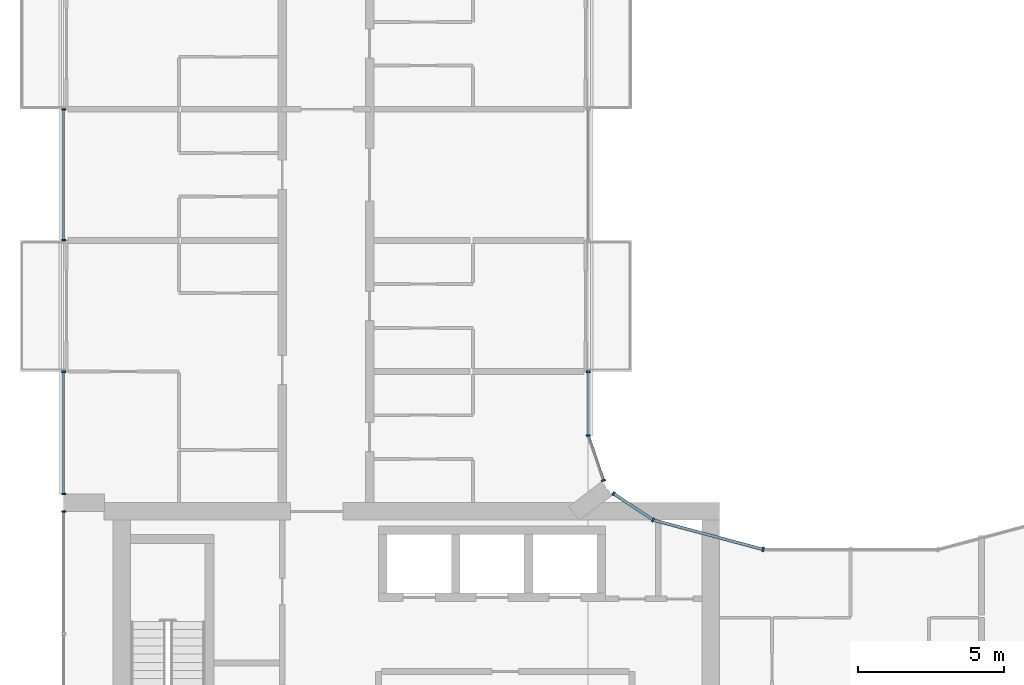
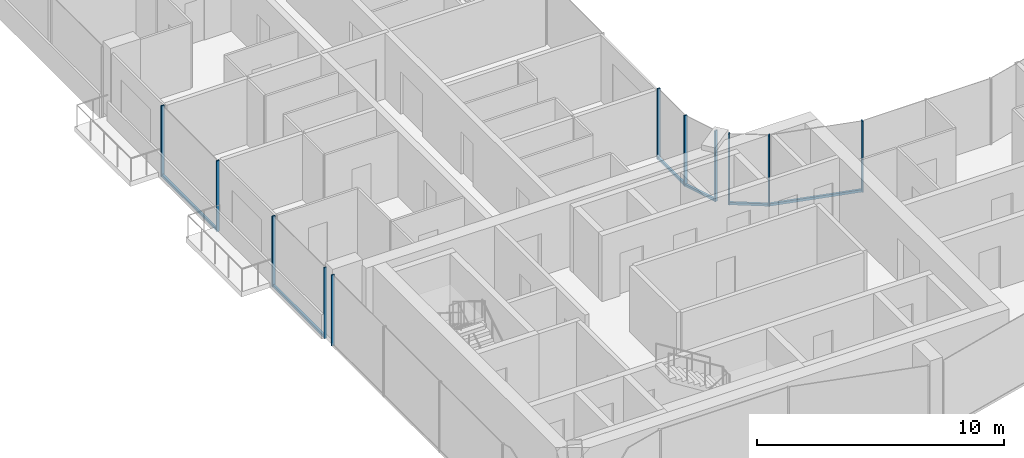
# One storey, part 4 of 17: 17 members, 7 elements without a shape of their own.
"""IFC4 building model written with IfcOpenShell, lengths in metres."""

from ifc_helpers import new_model, si_unit, direction, frame, origin, origin_2d, place, context, subcontext, project, spatial, rectangle, extrude, material, layer, layer_set, material_profile, profile_set, type_object, element, aggregate, save


model = new_model("IFC4")

# Units and contexts
model_context = context("Model", 3, precision=1e-05, world=origin(), true_north=direction((0.0, 1.0)))
body_context = subcontext(model_context, "Body", "Model", "MODEL_VIEW")
ifc_project = project(units=[si_unit("LENGTHUNIT", "METRE"), si_unit("AREAUNIT", "SQUARE_METRE"), si_unit("VOLUMEUNIT", "CUBIC_METRE"), si_unit("PLANEANGLEUNIT", "RADIAN"), si_unit("MASSUNIT", "GRAM", prefix="KILO")], contexts=[model_context])

# Site, building, storey
site_placement = place(None, origin())
site = spatial("IfcSite", under=ifc_project, at=site_placement, CompositionType="ELEMENT")
building_placement = place(site_placement, origin())
building = spatial("IfcBuilding", under=site, at=building_placement, Name="Plateau Cross Towers", CompositionType="ELEMENT")
storey_placement = place(building_placement, frame((0.0, 0.0, 146.39990234375)))
storey = spatial("IfcBuildingStorey", under=building, at=storey_placement, Name="L37", CompositionType="ELEMENT", Elevation=146.39990234375)

# Curtain wall, members
ifc_material_1 = material(Name="Dark low-iron glass", Category="glass")
ifc_layer_1 = layer(ifc_material_1, 0.239990234375)
ifc_layer_set_1 = layer_set([ifc_layer_1], Name="Dark low-iron glass")
curtain_wall_type_1 = type_object("IfcCurtainWallType", Name="Curtain wall flush unitised CW-B", PredefinedType="NOTDEFINED", material=ifc_layer_set_1)
curtain_wall_1_placement = place(storey_placement, origin())
curtain_wall_1 = element("IfcCurtainWall", 1, at=curtain_wall_1_placement, inside=storey, type_object=curtain_wall_type_1, Name="ENV/A/L37/A202_174", PredefinedType="NOTDEFINED")
ifc_material_2 = material(Name="Black anodised aluminium", Category="aluminium")
ifc_material_profile_1 = material_profile(ifc_material_2, rectangle(XDim=0.06005859375, YDim=0.139892578125, at=origin_2d()), Name="MULLION 60x140")
ifc_profile_set_1 = profile_set([ifc_material_profile_1], Name="Black anodised aluminium")
member_type_1 = type_object("IfcMemberType", Name="Mullion 60x140 flush unitised", PredefinedType="MULLION", material=ifc_profile_set_1)
member_1_placement = place(storey_placement, frame((20.223876953125, 17.404296875, -0.25), z_axis=(0.0, 0.0, 1.0), x_axis=(-0.831521253329, 0.555492938984, 0.0)))
member_1 = element("IfcMember", 2, at=member_1_placement, type_object=member_type_1, Name="CW-B mullion 1", PredefinedType="MULLION", context=body_context, shape_type="SweptSolid", body=[
    extrude(rectangle(XDim=0.06005859375, YDim=0.139892578125, at=origin_2d()), origin(), (0.0, 0.0, 1.0), 3.5),
])
member_2_placement = place(storey_placement, frame((18.86962890625, 18.30908203125, -0.25), z_axis=(0.0, 0.0, 1.0), x_axis=(-0.831521253329, 0.555492938984, 0.0)))
member_2 = element("IfcMember", 3, at=member_2_placement, type_object=member_type_1, Name="CW-B mullion 2", PredefinedType="MULLION", context=body_context, shape_type="SweptSolid", body=[
    extrude(rectangle(XDim=0.06005859375, YDim=0.139892578125, at=origin_2d()), origin(), (0.0, 0.0, 1.0), 3.5),
])

# Curtain wall, member
curtain_wall_2_placement = place(storey_placement, origin())
curtain_wall_2 = element("IfcCurtainWall", 4, at=curtain_wall_2_placement, inside=storey, type_object=curtain_wall_type_1, Name="ENV/A/L37/A185_188", PredefinedType="NOTDEFINED")
member_3_placement = place(storey_placement, frame((18.523681640625, 18.760009765625, -0.25), z_axis=(0.0, 0.0, 1.0), x_axis=(-0.321469161574, 0.94692004845, 0.0)))
member_3 = element("IfcMember", 5, at=member_3_placement, type_object=member_type_1, Name="CW-B mullion 1", PredefinedType="MULLION", context=body_context, shape_type="SweptSolid", body=[
    extrude(rectangle(XDim=0.06005859375, YDim=0.139892578125, at=origin_2d()), origin(), (0.0, 0.0, 1.0), 3.5),
])

# Curtain wall, members
curtain_wall_3_placement = place(storey_placement, origin())
curtain_wall_3 = element("IfcCurtainWall", 6, at=curtain_wall_3_placement, inside=storey, type_object=curtain_wall_type_1, Name="ENV/A/L37/A180_203", PredefinedType="NOTDEFINED")
member_4_placement = place(storey_placement, frame((18.0, 20.30224609375, -0.25), z_axis=(0.0, 0.0, 1.0), x_axis=(0.0, 1.0, 0.0)))
member_4 = element("IfcMember", 7, at=member_4_placement, type_object=member_type_1, Name="CW-B mullion 1", PredefinedType="MULLION", context=body_context, shape_type="SweptSolid", body=[
    extrude(rectangle(XDim=0.06005859375, YDim=0.139892578125, at=origin_2d()), origin(), (0.0, 0.0, 1.0), 3.5),
])
member_5_placement = place(storey_placement, frame((18.0, 22.489990234375, -0.25), z_axis=(0.0, 0.0, 1.0), x_axis=(0.0, 1.0, 0.0)))
member_5 = element("IfcMember", 8, at=member_5_placement, type_object=member_type_1, Name="CW-B mullion 2", PredefinedType="MULLION", context=body_context, shape_type="SweptSolid", body=[
    extrude(rectangle(XDim=0.06005859375, YDim=0.139892578125, at=origin_2d()), origin(), (0.0, 0.0, 1.0), 3.5),
])

curtain_wall_4_placement = place(storey_placement, origin())
curtain_wall_4 = element("IfcCurtainWall", 9, at=curtain_wall_4_placement, inside=storey, type_object=curtain_wall_type_1, Name="ENV/A/L37/A0_315", PredefinedType="NOTDEFINED")
member_6_placement = place(storey_placement, frame((0.0, 31.489990234375, -0.25), z_axis=(0.0, 0.0, 1.0), x_axis=(0.0, -1.0, 0.0)))
member_6 = element("IfcMember", 10, at=member_6_placement, type_object=member_type_1, Name="CW-B mullion 1", PredefinedType="MULLION", context=body_context, shape_type="SweptSolid", body=[
    extrude(rectangle(XDim=0.06005859375, YDim=0.139892578125, at=origin_2d()), origin(), (0.0, 0.0, 1.0), 3.5),
])
member_7_placement = place(storey_placement, frame((0.0, 27.010009765625, -0.25), z_axis=(0.0, 0.0, 1.0), x_axis=(0.0, -1.0, 0.0)))
member_7 = element("IfcMember", 11, at=member_7_placement, type_object=member_type_1, Name="CW-B mullion 2", PredefinedType="MULLION", context=body_context, shape_type="SweptSolid", body=[
    extrude(rectangle(XDim=0.06005859375, YDim=0.139892578125, at=origin_2d()), origin(), (0.0, 0.0, 1.0), 3.5),
])

curtain_wall_5_placement = place(storey_placement, origin())
curtain_wall_5 = element("IfcCurtainWall", 12, at=curtain_wall_5_placement, inside=storey, type_object=curtain_wall_type_1, Name="ENV/A/L37/A0_225", PredefinedType="NOTDEFINED")
member_8_placement = place(storey_placement, frame((0.0, 22.489990234375, -0.25), z_axis=(0.0, 0.0, 1.0), x_axis=(0.0, -1.0, 0.0)))
member_8 = element("IfcMember", 13, at=member_8_placement, type_object=member_type_1, Name="CW-B mullion 1", PredefinedType="MULLION", context=body_context, shape_type="SweptSolid", body=[
    extrude(rectangle(XDim=0.06005859375, YDim=0.139892578125, at=origin_2d()), origin(), (0.0, 0.0, 1.0), 3.5),
])
member_9_placement = place(storey_placement, frame((0.0, 18.300048828125, -0.25), z_axis=(0.0, 0.0, 1.0), x_axis=(0.0, -1.0, 0.0)))
member_9 = element("IfcMember", 14, at=member_9_placement, type_object=member_type_1, Name="CW-B mullion 2", PredefinedType="MULLION", context=body_context, shape_type="SweptSolid", body=[
    extrude(rectangle(XDim=0.06005859375, YDim=0.139892578125, at=origin_2d()), origin(), (0.0, 0.0, 1.0), 3.5),
])

# Curtain wall, member
curtain_wall_6_placement = place(storey_placement, origin())
curtain_wall_6 = element("IfcCurtainWall", 15, at=curtain_wall_6_placement, inside=storey, type_object=curtain_wall_type_1, Name="ENV/A/L37/A0_177", PredefinedType="NOTDEFINED")
member_10_placement = place(storey_placement, frame((0.0, 17.699951171875, -0.25), z_axis=(0.0, 0.0, 1.0), x_axis=(0.0, -1.0, 0.0)))
member_10 = element("IfcMember", 16, at=member_10_placement, type_object=member_type_1, Name="CW-B mullion 1", PredefinedType="MULLION", context=body_context, shape_type="SweptSolid", body=[
    extrude(rectangle(XDim=0.06005859375, YDim=0.139892578125, at=origin_2d()), origin(), (0.0, 0.0, 1.0), 3.5),
])
aggregate(curtain_wall_6, [member_10])

ifc_layer_2 = layer(ifc_material_1, 0.260009765625)
ifc_layer_set_2 = layer_set([ifc_layer_2], Name="Dark low-iron glass")
curtain_wall_type_2 = type_object("IfcCurtainWallType", Name="Curtain wall fluted unitised CW-A", PredefinedType="NOTDEFINED", material=ifc_layer_set_2)
curtain_wall_7_placement = place(storey_placement, origin())
curtain_wall_7 = element("IfcCurtainWall", 17, at=curtain_wall_7_placement, inside=storey, type_object=curtain_wall_type_2, Name="ENV/A/L37/A240_164", PredefinedType="NOTDEFINED")
ifc_material_profile_2 = material_profile(ifc_material_2, rectangle(XDim=0.06005859375, YDim=0.159912109375, at=origin_2d()), Name="MULLION 60x160")
ifc_profile_set_2 = profile_set([ifc_material_profile_2], Name="Black anodised aluminium")
member_type_2 = type_object("IfcMemberType", Name="Mullion 60x160 fluted unitised", PredefinedType="MULLION", material=ifc_profile_set_2)
member_11_placement = place(storey_placement, frame((24.0, 16.39306640625, -0.25), z_axis=(0.0, 0.0, 1.0), x_axis=(-0.965957995816, 0.258698956933, 0.0)))
member_11 = element("IfcMember", 18, at=member_11_placement, type_object=member_type_2, Name="CW-A mullion 1", PredefinedType="MULLION", context=body_context, shape_type="SweptSolid", body=[
    extrude(rectangle(XDim=0.06005859375, YDim=0.159912109375, at=origin_2d()), origin(), (0.0, 0.0, 1.0), 3.5),
])

# Member
ifc_material_profile_3 = material_profile(ifc_material_2, rectangle(XDim=0.10009765625, YDim=0.1201171875, at=origin_2d()), Name="TRANSOM 100x120")
ifc_profile_set_3 = profile_set([ifc_material_profile_3], Name="Black anodised aluminium")
member_type_3 = type_object("IfcMemberType", Name="Transom 100x120 flush unitised", PredefinedType="USERDEFINED", material=ifc_profile_set_3)
member_12_placement = place(storey_placement, frame((20.223876953125, 17.404296875, -0.18994140625), z_axis=(-0.831496402487, 0.555530136582, 0.0), x_axis=(-0.555530136582, -0.831496402487, 0.0)))
member_12 = element("IfcMember", 19, at=member_12_placement, type_object=member_type_3, Name="CW-B transom", ObjectType="TRANSOM", PredefinedType="USERDEFINED", context=body_context, shape_type="SweptSolid", body=[
    extrude(rectangle(XDim=0.10009765625, YDim=0.1201171875, at=origin_2d()), origin(), (0.0, 0.0, 1.0), 1.628662109375),
])

aggregate(curtain_wall_1, [member_1, member_2, member_12])

member_13_placement = place(storey_placement, frame((18.523681640625, 18.760009765625, -0.18994140625), z_axis=(-0.321529174838, 0.946899672472, 0.0), x_axis=(-0.946899672472, -0.321529174838, 0.0)))
member_13 = element("IfcMember", 20, at=member_13_placement, type_object=member_type_3, Name="CW-B transom", ObjectType="TRANSOM", PredefinedType="USERDEFINED", context=body_context, shape_type="SweptSolid", body=[
    extrude(rectangle(XDim=0.10009765625, YDim=0.1201171875, at=origin_2d()), origin(), (0.0, 0.0, 1.0), 1.628662109375),
])

aggregate(curtain_wall_2, [member_3, member_13])

member_14_placement = place(storey_placement, frame((18.0, 20.30224609375, -0.18994140625), z_axis=(0.0, 1.0, 0.0), x_axis=(-1.0, 0.0, 0.0)))
member_14 = element("IfcMember", 21, at=member_14_placement, type_object=member_type_3, Name="CW-B transom", ObjectType="TRANSOM", PredefinedType="USERDEFINED", context=body_context, shape_type="SweptSolid", body=[
    extrude(rectangle(XDim=0.10009765625, YDim=0.1201171875, at=origin_2d()), origin(), (0.0, 0.0, 1.0), 2.187744140625),
])

aggregate(curtain_wall_3, [member_4, member_5, member_14])

member_15_placement = place(storey_placement, frame((0.0, 31.489990234375, -0.18994140625), z_axis=(0.0, -1.0, 0.0), x_axis=(1.0, 0.0, 0.0)))
member_15 = element("IfcMember", 22, at=member_15_placement, type_object=member_type_3, Name="CW-B transom", ObjectType="TRANSOM", PredefinedType="USERDEFINED", context=body_context, shape_type="SweptSolid", body=[
    extrude(rectangle(XDim=0.10009765625, YDim=0.1201171875, at=origin_2d()), origin(), (0.0, 0.0, 1.0), 4.47998046875),
])

aggregate(curtain_wall_4, [member_6, member_7, member_15])

member_16_placement = place(storey_placement, frame((0.0, 22.489990234375, -0.18994140625), z_axis=(0.0, -1.0, 0.0), x_axis=(1.0, 0.0, 0.0)))
member_16 = element("IfcMember", 23, at=member_16_placement, type_object=member_type_3, Name="CW-B transom", ObjectType="TRANSOM", PredefinedType="USERDEFINED", context=body_context, shape_type="SweptSolid", body=[
    extrude(rectangle(XDim=0.10009765625, YDim=0.1201171875, at=origin_2d()), origin(), (0.0, 0.0, 1.0), 4.18994140625),
])

aggregate(curtain_wall_5, [member_8, member_9, member_16])

ifc_material_profile_4 = material_profile(ifc_material_2, rectangle(XDim=0.10009765625, YDim=0.1201171875, at=origin_2d()), Name="TRANSOM 100x120")
ifc_profile_set_4 = profile_set([ifc_material_profile_4], Name="Black anodised aluminium")
member_type_4 = type_object("IfcMemberType", Name="Transom 100x120 fluted unitised", PredefinedType="USERDEFINED", material=ifc_profile_set_4)
member_17_placement = place(storey_placement, frame((24.0, 16.39306640625, -0.18994140625), z_axis=(-0.965962822393, 0.25868093427, 0.0), x_axis=(-0.25868093427, -0.965962822393, 0.0)))
member_17 = element("IfcMember", 24, at=member_17_placement, type_object=member_type_4, Name="CW-A transom", ObjectType="TRANSOM", PredefinedType="USERDEFINED", context=body_context, shape_type="SweptSolid", body=[
    extrude(rectangle(XDim=0.10009765625, YDim=0.1201171875, at=origin_2d()), origin(), (0.0, 0.0, 1.0), 3.9091796875),
])

aggregate(curtain_wall_7, [member_11, member_17])

save(model, "model.ifc")
